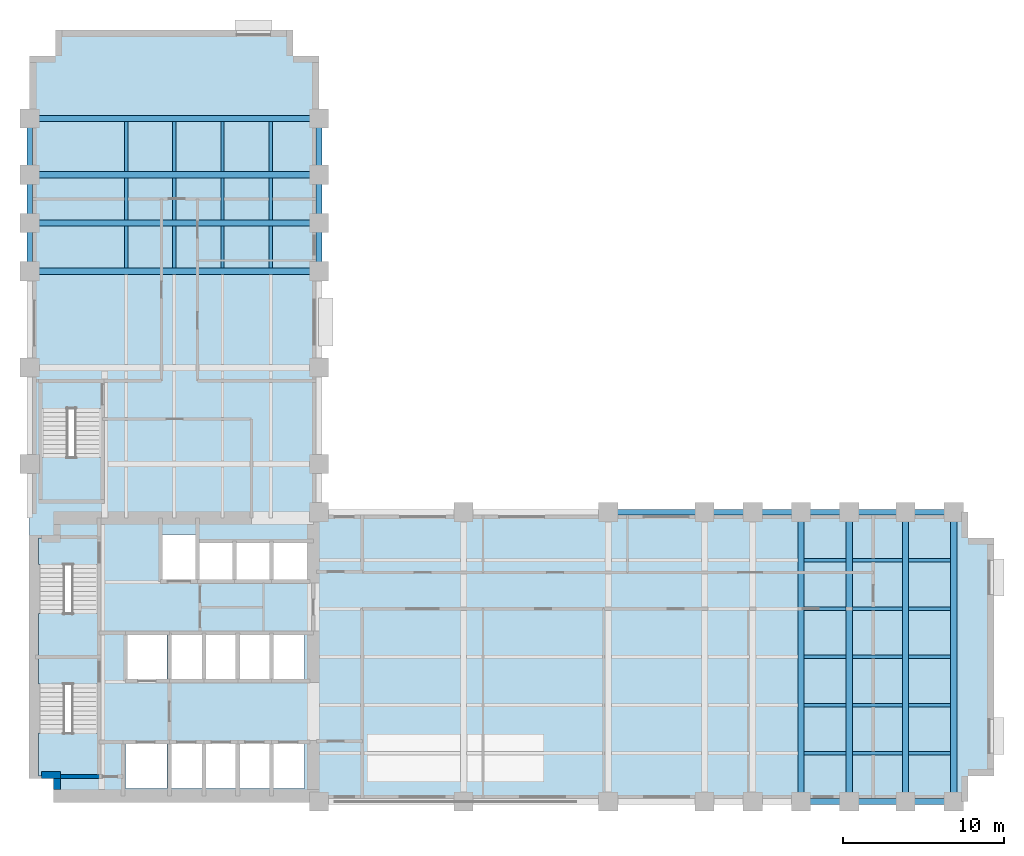
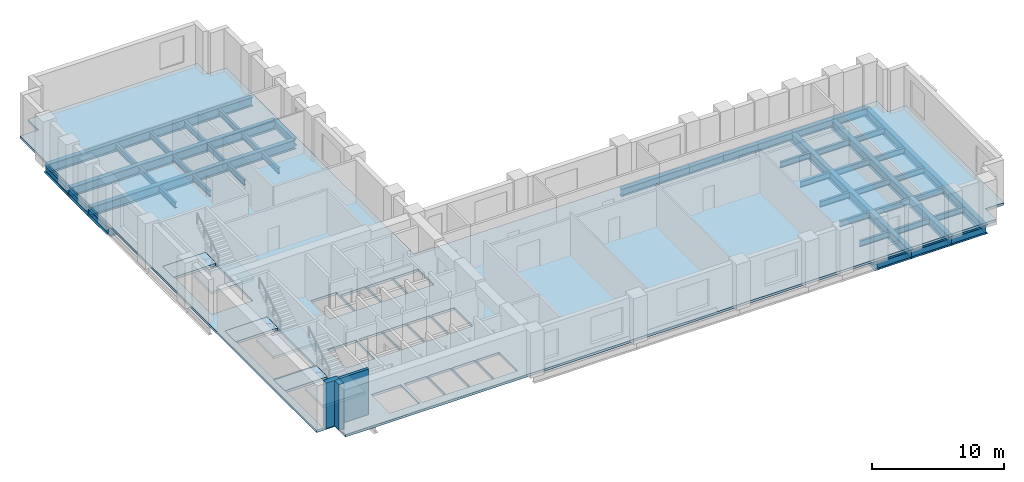
# One storey, part 2 of 8: 50 beams, 7 slabs, 3 walls, 3 elements without a shape of their own.
"""IFC4 building model written with IfcOpenShell, lengths in metres."""

from ifc_helpers import new_model, si_unit, direction, frame, frame_2d, origin, origin_2d, place, context, subcontext, project, spatial, polyline, rectangle, i_section, outline, extrude, material, layer, layer_set, material_profile, profile_set, type_object, element, aggregate, save


model = new_model("IFC4")

# Units and contexts
model_context = context("Model", 3, precision=1e-05, world=origin(), true_north=direction((0.0, 1.0)))
body_context = subcontext(model_context, "Body", "Model", "MODEL_VIEW")
ifc_project = project(units=[si_unit("LENGTHUNIT", "METRE"), si_unit("AREAUNIT", "SQUARE_METRE"), si_unit("VOLUMEUNIT", "CUBIC_METRE"), si_unit("PLANEANGLEUNIT", "RADIAN"), si_unit("MASSUNIT", "GRAM", prefix="KILO")], contexts=[model_context])

# Site, building, storey
site_placement = place(None, origin())
site = spatial("IfcSite", under=ifc_project, at=site_placement, CompositionType="ELEMENT")
building_placement = place(site_placement, origin())
building = spatial("IfcBuilding", under=site, at=building_placement, Name="Mawjdan Bourse Tower", CompositionType="ELEMENT")
storey_placement = place(building_placement, frame((0.0, 0.0, 63.60009765625)))
storey = spatial("IfcBuildingStorey", under=building, at=storey_placement, Name="L14", CompositionType="ELEMENT", Elevation=63.60009765625)

# Beams
ifc_material_1 = material(Name="Structural Steel S355", Category="steel")
ifc_material_profile_1 = material_profile(ifc_material_1, i_section(OverallWidth=0.39892578125, OverallDepth=0.85595703125, WebThickness=0.018310546875, FlangeThickness=0.029296875, FilletRadius=0.0234375, at=origin_2d()), Name="W33X201")
ifc_profile_set_1 = profile_set([ifc_material_profile_1], Name="Structural Steel S355")
beam_type_1 = type_object("IfcBeamType", Name="GRD-W33X201", PredefinedType="BEAM", material=ifc_profile_set_1)
for number, where, z_axis, x_axis, name in (
    (1, (54.0, 3.0, -0.648193359375), (0.0, 1.0, 0.0), (-1.0, 0.0, 0.0), "L14 East Wing Clear-Span Girder 006"),
    (2, (57.0, 3.0, -0.648193359375), (0.0, 1.0, 0.0), (-1.0, 0.0, 0.0), "L14 East Wing Clear-Span Girder 007"),
    (3, (60.5, 3.0, -0.648193359375), (0.0, 1.0, 0.0), (-1.0, 0.0, 0.0), "L14 East Wing Clear-Span Girder 008"),
    (4, (63.5, 3.0, -0.648193359375), (0.0, 1.0, 0.0), (-1.0, 0.0, 0.0), "L14 East Wing Clear-Span Girder 009"),
    (5, (6.0, 36.0, -0.648193359375), (1.0, 0.0, 0.0), (0.0, 1.0, 0.0), "L14 North Wing Clear-Span Girder 073"),
    (6, (6.0, 39.0, -0.648193359375), (1.0, 0.0, 0.0), (0.0, 1.0, 0.0), "L14 North Wing Clear-Span Girder 074"),
    (7, (6.0, 42.0, -0.648193359375), (1.0, 0.0, 0.0), (0.0, 1.0, 0.0), "L14 North Wing Clear-Span Girder 075"),
    (8, (6.0, 45.5, -0.648193359375), (1.0, 0.0, 0.0), (0.0, 1.0, 0.0), "L14 North Wing Clear-Span Girder 076"),
):
    element("IfcBeam", number, at=place(storey_placement, frame(where, z_axis=z_axis, x_axis=x_axis)), inside=storey, type_object=beam_type_1, Name=name, PredefinedType="BEAM", context=body_context, shape_type="SweptSolid", body=[
        extrude(i_section(OverallWidth=0.39892578125, OverallDepth=0.85595703125, WebThickness=0.018310546875, FlangeThickness=0.029296875, FilletRadius=0.0234375, at=origin_2d()), origin(), (0.0, 0.0, 1.0), 18.0),
    ])
ifc_material_profile_2 = material_profile(ifc_material_1, i_section(OverallWidth=0.2119140625, OverallDepth=0.5439453125, WebThickness=0.01318359375, FlangeThickness=0.021240234375, FilletRadius=0.01708984375, at=origin_2d()), Name="W21X83")
ifc_profile_set_2 = profile_set([ifc_material_profile_2], Name="Structural Steel S355")
beam_type_2 = type_object("IfcBeamType", Name="JST-W21X83", PredefinedType="JOIST", material=ifc_profile_set_2)
beam_1_placement = place(storey_placement, frame((54.197509765625, 6.0, -0.4921875), z_axis=(1.0, 0.0, 0.0), x_axis=(0.0, 1.0, 0.0)))
element("IfcBeam", 9, at=beam_1_placement, inside=storey, type_object=beam_type_2, Name="L14 East Wing Composite Joist 031", PredefinedType="JOIST", context=body_context, shape_type="SweptSolid", body=[
    extrude(i_section(OverallWidth=0.2119140625, OverallDepth=0.5439453125, WebThickness=0.01318359375, FlangeThickness=0.021240234375, FilletRadius=0.01708984375, at=origin_2d()), origin(), (0.0, 0.0, 1.0), 2.60498046875),
])
beam_2_placement = place(storey_placement, frame((57.197509765625, 6.0, -0.4921875), z_axis=(1.0, 0.0, 0.0), x_axis=(0.0, 1.0, 0.0)))
element("IfcBeam", 10, at=beam_2_placement, inside=storey, type_object=beam_type_2, Name="L14 East Wing Composite Joist 032", PredefinedType="JOIST", context=body_context, shape_type="SweptSolid", body=[
    extrude(i_section(OverallWidth=0.2119140625, OverallDepth=0.5439453125, WebThickness=0.01318359375, FlangeThickness=0.021240234375, FilletRadius=0.01708984375, at=origin_2d()), origin(), (0.0, 0.0, 1.0), 3.10498046875),
])
for number, where, z_axis, x_axis, name in (
    (11, (60.697509765625, 6.0, -0.4921875), (1.0, 0.0, 0.0), (0.0, 1.0, 0.0), "L14 East Wing Composite Joist 033"),
    (12, (54.197509765625, 9.0, -0.4921875), (1.0, 0.0, 0.0), (0.0, 1.0, 0.0), "L14 East Wing Composite Joist 039"),
):
    element("IfcBeam", number, at=place(storey_placement, frame(where, z_axis=z_axis, x_axis=x_axis)), inside=storey, type_object=beam_type_2, Name=name, PredefinedType="JOIST", context=body_context, shape_type="SweptSolid", body=[
        extrude(i_section(OverallWidth=0.2119140625, OverallDepth=0.5439453125, WebThickness=0.01318359375, FlangeThickness=0.021240234375, FilletRadius=0.01708984375, at=origin_2d()), origin(), (0.0, 0.0, 1.0), 2.60498046875),
    ])
beam_3_placement = place(storey_placement, frame((57.197509765625, 9.0, -0.4921875), z_axis=(1.0, 0.0, 0.0), x_axis=(0.0, 1.0, 0.0)))
element("IfcBeam", 13, at=beam_3_placement, inside=storey, type_object=beam_type_2, Name="L14 East Wing Composite Joist 040", PredefinedType="JOIST", context=body_context, shape_type="SweptSolid", body=[
    extrude(i_section(OverallWidth=0.2119140625, OverallDepth=0.5439453125, WebThickness=0.01318359375, FlangeThickness=0.021240234375, FilletRadius=0.01708984375, at=origin_2d()), origin(), (0.0, 0.0, 1.0), 3.10498046875),
])
for number, where, z_axis, x_axis, name in (
    (14, (60.697509765625, 9.0, -0.4921875), (1.0, 0.0, 0.0), (0.0, 1.0, 0.0), "L14 East Wing Composite Joist 041"),
    (15, (54.197509765625, 12.0, -0.4921875), (1.0, 0.0, 0.0), (0.0, 1.0, 0.0), "L14 East Wing Composite Joist 047"),
):
    element("IfcBeam", number, at=place(storey_placement, frame(where, z_axis=z_axis, x_axis=x_axis)), inside=storey, type_object=beam_type_2, Name=name, PredefinedType="JOIST", context=body_context, shape_type="SweptSolid", body=[
        extrude(i_section(OverallWidth=0.2119140625, OverallDepth=0.5439453125, WebThickness=0.01318359375, FlangeThickness=0.021240234375, FilletRadius=0.01708984375, at=origin_2d()), origin(), (0.0, 0.0, 1.0), 2.60498046875),
    ])
beam_4_placement = place(storey_placement, frame((57.197509765625, 12.0, -0.4921875), z_axis=(1.0, 0.0, 0.0), x_axis=(0.0, 1.0, 0.0)))
element("IfcBeam", 16, at=beam_4_placement, inside=storey, type_object=beam_type_2, Name="L14 East Wing Composite Joist 048", PredefinedType="JOIST", context=body_context, shape_type="SweptSolid", body=[
    extrude(i_section(OverallWidth=0.2119140625, OverallDepth=0.5439453125, WebThickness=0.01318359375, FlangeThickness=0.021240234375, FilletRadius=0.01708984375, at=origin_2d()), origin(), (0.0, 0.0, 1.0), 3.10498046875),
])
for number, where, z_axis, x_axis, name in (
    (17, (60.697509765625, 12.0, -0.4921875), (1.0, 0.0, 0.0), (0.0, 1.0, 0.0), "L14 East Wing Composite Joist 049"),
    (18, (54.197509765625, 15.0, -0.4921875), (1.0, 0.0, 0.0), (0.0, 1.0, 0.0), "L14 East Wing Composite Joist 055"),
):
    element("IfcBeam", number, at=place(storey_placement, frame(where, z_axis=z_axis, x_axis=x_axis)), inside=storey, type_object=beam_type_2, Name=name, PredefinedType="JOIST", context=body_context, shape_type="SweptSolid", body=[
        extrude(i_section(OverallWidth=0.2119140625, OverallDepth=0.5439453125, WebThickness=0.01318359375, FlangeThickness=0.021240234375, FilletRadius=0.01708984375, at=origin_2d()), origin(), (0.0, 0.0, 1.0), 2.60498046875),
    ])
beam_5_placement = place(storey_placement, frame((57.197509765625, 15.0, -0.4921875), z_axis=(1.0, 0.0, 0.0), x_axis=(0.0, 1.0, 0.0)))
element("IfcBeam", 19, at=beam_5_placement, inside=storey, type_object=beam_type_2, Name="L14 East Wing Composite Joist 056", PredefinedType="JOIST", context=body_context, shape_type="SweptSolid", body=[
    extrude(i_section(OverallWidth=0.2119140625, OverallDepth=0.5439453125, WebThickness=0.01318359375, FlangeThickness=0.021240234375, FilletRadius=0.01708984375, at=origin_2d()), origin(), (0.0, 0.0, 1.0), 3.10498046875),
])
for number, where, z_axis, x_axis, name in (
    (20, (60.697509765625, 15.0, -0.4921875), (1.0, 0.0, 0.0), (0.0, 1.0, 0.0), "L14 East Wing Composite Joist 057"),
    (21, (54.197509765625, 18.0, -0.4921875), (1.0, 0.0, 0.0), (0.0, 1.0, 0.0), "L14 East Wing Composite Joist 063"),
):
    element("IfcBeam", number, at=place(storey_placement, frame(where, z_axis=z_axis, x_axis=x_axis)), inside=storey, type_object=beam_type_2, Name=name, PredefinedType="JOIST", context=body_context, shape_type="SweptSolid", body=[
        extrude(i_section(OverallWidth=0.2119140625, OverallDepth=0.5439453125, WebThickness=0.01318359375, FlangeThickness=0.021240234375, FilletRadius=0.01708984375, at=origin_2d()), origin(), (0.0, 0.0, 1.0), 2.60498046875),
    ])
beam_6_placement = place(storey_placement, frame((57.197509765625, 18.0, -0.4921875), z_axis=(1.0, 0.0, 0.0), x_axis=(0.0, 1.0, 0.0)))
element("IfcBeam", 22, at=beam_6_placement, inside=storey, type_object=beam_type_2, Name="L14 East Wing Composite Joist 064", PredefinedType="JOIST", context=body_context, shape_type="SweptSolid", body=[
    extrude(i_section(OverallWidth=0.2119140625, OverallDepth=0.5439453125, WebThickness=0.01318359375, FlangeThickness=0.021240234375, FilletRadius=0.01708984375, at=origin_2d()), origin(), (0.0, 0.0, 1.0), 3.10498046875),
])
for number, where, z_axis, x_axis, name in (
    (23, (60.697509765625, 18.0, -0.4921875), (1.0, 0.0, 0.0), (0.0, 1.0, 0.0), "L14 East Wing Composite Joist 065"),
    (24, (12.0, 36.197509765625, -0.4921875), (0.0, 1.0, 0.0), (-1.0, 0.0, 0.0), "L14 North Wing Composite Joist 092"),
    (25, (12.0, 39.197509765625, -0.4921875), (0.0, 1.0, 0.0), (-1.0, 0.0, 0.0), "L14 North Wing Composite Joist 093"),
):
    element("IfcBeam", number, at=place(storey_placement, frame(where, z_axis=z_axis, x_axis=x_axis)), inside=storey, type_object=beam_type_2, Name=name, PredefinedType="JOIST", context=body_context, shape_type="SweptSolid", body=[
        extrude(i_section(OverallWidth=0.2119140625, OverallDepth=0.5439453125, WebThickness=0.01318359375, FlangeThickness=0.021240234375, FilletRadius=0.01708984375, at=origin_2d()), origin(), (0.0, 0.0, 1.0), 2.60498046875),
    ])
beam_7_placement = place(storey_placement, frame((12.0, 42.197509765625, -0.4921875), z_axis=(0.0, 1.0, 0.0), x_axis=(-1.0, 0.0, 0.0)))
element("IfcBeam", 26, at=beam_7_placement, inside=storey, type_object=beam_type_2, Name="L14 North Wing Composite Joist 094", PredefinedType="JOIST", context=body_context, shape_type="SweptSolid", body=[
    extrude(i_section(OverallWidth=0.2119140625, OverallDepth=0.5439453125, WebThickness=0.01318359375, FlangeThickness=0.021240234375, FilletRadius=0.01708984375, at=origin_2d()), origin(), (0.0, 0.0, 1.0), 3.10498046875),
])
for number, where, z_axis, x_axis, name in (
    (27, (15.0, 36.197509765625, -0.4921875), (0.0, 1.0, 0.0), (-1.0, 0.0, 0.0), "L14 North Wing Composite Joist 098"),
    (28, (15.0, 39.197509765625, -0.4921875), (0.0, 1.0, 0.0), (-1.0, 0.0, 0.0), "L14 North Wing Composite Joist 099"),
):
    element("IfcBeam", number, at=place(storey_placement, frame(where, z_axis=z_axis, x_axis=x_axis)), inside=storey, type_object=beam_type_2, Name=name, PredefinedType="JOIST", context=body_context, shape_type="SweptSolid", body=[
        extrude(i_section(OverallWidth=0.2119140625, OverallDepth=0.5439453125, WebThickness=0.01318359375, FlangeThickness=0.021240234375, FilletRadius=0.01708984375, at=origin_2d()), origin(), (0.0, 0.0, 1.0), 2.60498046875),
    ])
beam_8_placement = place(storey_placement, frame((15.0, 42.197509765625, -0.4921875), z_axis=(0.0, 1.0, 0.0), x_axis=(-1.0, 0.0, 0.0)))
element("IfcBeam", 29, at=beam_8_placement, inside=storey, type_object=beam_type_2, Name="L14 North Wing Composite Joist 100", PredefinedType="JOIST", context=body_context, shape_type="SweptSolid", body=[
    extrude(i_section(OverallWidth=0.2119140625, OverallDepth=0.5439453125, WebThickness=0.01318359375, FlangeThickness=0.021240234375, FilletRadius=0.01708984375, at=origin_2d()), origin(), (0.0, 0.0, 1.0), 3.10498046875),
])
for number, where, z_axis, x_axis, name in (
    (30, (18.0, 36.197509765625, -0.4921875), (0.0, 1.0, 0.0), (-1.0, 0.0, 0.0), "L14 North Wing Composite Joist 104"),
    (31, (18.0, 39.197509765625, -0.4921875), (0.0, 1.0, 0.0), (-1.0, 0.0, 0.0), "L14 North Wing Composite Joist 105"),
):
    element("IfcBeam", number, at=place(storey_placement, frame(where, z_axis=z_axis, x_axis=x_axis)), inside=storey, type_object=beam_type_2, Name=name, PredefinedType="JOIST", context=body_context, shape_type="SweptSolid", body=[
        extrude(i_section(OverallWidth=0.2119140625, OverallDepth=0.5439453125, WebThickness=0.01318359375, FlangeThickness=0.021240234375, FilletRadius=0.01708984375, at=origin_2d()), origin(), (0.0, 0.0, 1.0), 2.60498046875),
    ])
beam_9_placement = place(storey_placement, frame((18.0, 42.197509765625, -0.4921875), z_axis=(0.0, 1.0, 0.0), x_axis=(-1.0, 0.0, 0.0)))
element("IfcBeam", 32, at=beam_9_placement, inside=storey, type_object=beam_type_2, Name="L14 North Wing Composite Joist 106", PredefinedType="JOIST", context=body_context, shape_type="SweptSolid", body=[
    extrude(i_section(OverallWidth=0.2119140625, OverallDepth=0.5439453125, WebThickness=0.01318359375, FlangeThickness=0.021240234375, FilletRadius=0.01708984375, at=origin_2d()), origin(), (0.0, 0.0, 1.0), 3.10498046875),
])
for number, where, z_axis, x_axis, name in (
    (33, (21.0, 36.197509765625, -0.4921875), (0.0, 1.0, 0.0), (-1.0, 0.0, 0.0), "L14 North Wing Composite Joist 110"),
    (34, (21.0, 39.197509765625, -0.4921875), (0.0, 1.0, 0.0), (-1.0, 0.0, 0.0), "L14 North Wing Composite Joist 111"),
):
    element("IfcBeam", number, at=place(storey_placement, frame(where, z_axis=z_axis, x_axis=x_axis)), inside=storey, type_object=beam_type_2, Name=name, PredefinedType="JOIST", context=body_context, shape_type="SweptSolid", body=[
        extrude(i_section(OverallWidth=0.2119140625, OverallDepth=0.5439453125, WebThickness=0.01318359375, FlangeThickness=0.021240234375, FilletRadius=0.01708984375, at=origin_2d()), origin(), (0.0, 0.0, 1.0), 2.60498046875),
    ])
beam_10_placement = place(storey_placement, frame((21.0, 42.197509765625, -0.4921875), z_axis=(0.0, 1.0, 0.0), x_axis=(-1.0, 0.0, 0.0)))
element("IfcBeam", 35, at=beam_10_placement, inside=storey, type_object=beam_type_2, Name="L14 North Wing Composite Joist 112", PredefinedType="JOIST", context=body_context, shape_type="SweptSolid", body=[
    extrude(i_section(OverallWidth=0.2119140625, OverallDepth=0.5439453125, WebThickness=0.01318359375, FlangeThickness=0.021240234375, FilletRadius=0.01708984375, at=origin_2d()), origin(), (0.0, 0.0, 1.0), 3.10498046875),
])
ifc_material_profile_3 = material_profile(ifc_material_1, i_section(OverallWidth=0.35498046875, OverallDepth=0.696044921875, WebThickness=0.015380859375, FlangeThickness=0.02490234375, FilletRadius=0.019775390625, at=origin_2d()), Name="W27X146")
ifc_profile_set_3 = profile_set([ifc_material_profile_3], Name="Structural Steel S355")
beam_type_3 = type_object("IfcBeamType", Name="SPN-W27X146", PredefinedType="SPANDREL", material=ifc_profile_set_3)
beam_11_placement = place(storey_placement, frame((54.0, 3.0, -0.568115234375), z_axis=(1.0, 0.0, 0.0), x_axis=(0.0, 1.0, 0.0)))
element("IfcBeam", 36, at=beam_11_placement, inside=storey, type_object=beam_type_3, Name="L14 Perimeter Masonry-Shelf Spandrel 015", PredefinedType="SPANDREL", context=body_context, shape_type="SweptSolid", body=[
    extrude(i_section(OverallWidth=0.35498046875, OverallDepth=0.696044921875, WebThickness=0.015380859375, FlangeThickness=0.02490234375, FilletRadius=0.019775390625, at=origin_2d()), origin(), (0.0, 0.0, 1.0), 3.0),
])
beam_12_placement = place(storey_placement, frame((57.0, 3.0, -0.568115234375), z_axis=(1.0, 0.0, 0.0), x_axis=(0.0, 1.0, 0.0)))
element("IfcBeam", 37, at=beam_12_placement, inside=storey, type_object=beam_type_3, Name="L14 Perimeter Masonry-Shelf Spandrel 016", PredefinedType="SPANDREL", context=body_context, shape_type="SweptSolid", body=[
    extrude(i_section(OverallWidth=0.35498046875, OverallDepth=0.696044921875, WebThickness=0.015380859375, FlangeThickness=0.02490234375, FilletRadius=0.019775390625, at=origin_2d()), origin(), (0.0, 0.0, 1.0), 3.5),
])
beam_13_placement = place(storey_placement, frame((60.5, 3.0, -0.568115234375), z_axis=(1.0, 0.0, 0.0), x_axis=(0.0, 1.0, 0.0)))
element("IfcBeam", 38, at=beam_13_placement, inside=storey, type_object=beam_type_3, Name="L14 Perimeter Masonry-Shelf Spandrel 017", PredefinedType="SPANDREL", context=body_context, shape_type="SweptSolid", body=[
    extrude(i_section(OverallWidth=0.35498046875, OverallDepth=0.696044921875, WebThickness=0.015380859375, FlangeThickness=0.02490234375, FilletRadius=0.019775390625, at=origin_2d()), origin(), (0.0, 0.0, 1.0), 3.0),
])
beam_14_placement = place(storey_placement, frame((42.0, 21.0, -0.568115234375), z_axis=(1.0, 0.0, 0.0), x_axis=(0.0, 1.0, 0.0)))
element("IfcBeam", 39, at=beam_14_placement, inside=storey, type_object=beam_type_3, Name="L14 Perimeter Masonry-Shelf Spandrel 020", PredefinedType="SPANDREL", context=body_context, shape_type="SweptSolid", body=[
    extrude(i_section(OverallWidth=0.35498046875, OverallDepth=0.696044921875, WebThickness=0.015380859375, FlangeThickness=0.02490234375, FilletRadius=0.019775390625, at=origin_2d()), origin(), (0.0, 0.0, 1.0), 6.0),
])
for number, where, z_axis, x_axis, name in (
    (40, (48.0, 21.0, -0.568115234375), (1.0, 0.0, 0.0), (0.0, 1.0, 0.0), "L14 Perimeter Masonry-Shelf Spandrel 021"),
    (41, (51.0, 21.0, -0.568115234375), (1.0, 0.0, 0.0), (0.0, 1.0, 0.0), "L14 Perimeter Masonry-Shelf Spandrel 022"),
    (42, (54.0, 21.0, -0.568115234375), (1.0, 0.0, 0.0), (0.0, 1.0, 0.0), "L14 Perimeter Masonry-Shelf Spandrel 023"),
):
    element("IfcBeam", number, at=place(storey_placement, frame(where, z_axis=z_axis, x_axis=x_axis)), inside=storey, type_object=beam_type_3, Name=name, PredefinedType="SPANDREL", context=body_context, shape_type="SweptSolid", body=[
        extrude(i_section(OverallWidth=0.35498046875, OverallDepth=0.696044921875, WebThickness=0.015380859375, FlangeThickness=0.02490234375, FilletRadius=0.019775390625, at=origin_2d()), origin(), (0.0, 0.0, 1.0), 3.0),
    ])
beam_15_placement = place(storey_placement, frame((57.0, 21.0, -0.568115234375), z_axis=(1.0, 0.0, 0.0), x_axis=(0.0, 1.0, 0.0)))
element("IfcBeam", 43, at=beam_15_placement, inside=storey, type_object=beam_type_3, Name="L14 Perimeter Masonry-Shelf Spandrel 024", PredefinedType="SPANDREL", context=body_context, shape_type="SweptSolid", body=[
    extrude(i_section(OverallWidth=0.35498046875, OverallDepth=0.696044921875, WebThickness=0.015380859375, FlangeThickness=0.02490234375, FilletRadius=0.019775390625, at=origin_2d()), origin(), (0.0, 0.0, 1.0), 3.5),
])
for number, where, z_axis, x_axis, name in (
    (44, (60.5, 21.0, -0.568115234375), (1.0, 0.0, 0.0), (0.0, 1.0, 0.0), "L14 Perimeter Masonry-Shelf Spandrel 025"),
    (45, (6.0, 36.0, -0.568115234375), (0.0, 1.0, 0.0), (-1.0, 0.0, 0.0), "L14 North Wing Spandrel 080"),
    (46, (6.0, 39.0, -0.568115234375), (0.0, 1.0, 0.0), (-1.0, 0.0, 0.0), "L14 North Wing Spandrel 081"),
):
    element("IfcBeam", number, at=place(storey_placement, frame(where, z_axis=z_axis, x_axis=x_axis)), inside=storey, type_object=beam_type_3, Name=name, PredefinedType="SPANDREL", context=body_context, shape_type="SweptSolid", body=[
        extrude(i_section(OverallWidth=0.35498046875, OverallDepth=0.696044921875, WebThickness=0.015380859375, FlangeThickness=0.02490234375, FilletRadius=0.019775390625, at=origin_2d()), origin(), (0.0, 0.0, 1.0), 3.0),
    ])
beam_16_placement = place(storey_placement, frame((6.0, 42.0, -0.568115234375), z_axis=(0.0, 1.0, 0.0), x_axis=(-1.0, 0.0, 0.0)))
element("IfcBeam", 47, at=beam_16_placement, inside=storey, type_object=beam_type_3, Name="L14 North Wing Spandrel 082", PredefinedType="SPANDREL", context=body_context, shape_type="SweptSolid", body=[
    extrude(i_section(OverallWidth=0.35498046875, OverallDepth=0.696044921875, WebThickness=0.015380859375, FlangeThickness=0.02490234375, FilletRadius=0.019775390625, at=origin_2d()), origin(), (0.0, 0.0, 1.0), 3.5),
])
for number, where, z_axis, x_axis, name in (
    (48, (24.0, 36.0, -0.568115234375), (0.0, 1.0, 0.0), (-1.0, 0.0, 0.0), "L14 North Wing Spandrel 086"),
    (49, (24.0, 39.0, -0.568115234375), (0.0, 1.0, 0.0), (-1.0, 0.0, 0.0), "L14 North Wing Spandrel 087"),
):
    element("IfcBeam", number, at=place(storey_placement, frame(where, z_axis=z_axis, x_axis=x_axis)), inside=storey, type_object=beam_type_3, Name=name, PredefinedType="SPANDREL", context=body_context, shape_type="SweptSolid", body=[
        extrude(i_section(OverallWidth=0.35498046875, OverallDepth=0.696044921875, WebThickness=0.015380859375, FlangeThickness=0.02490234375, FilletRadius=0.019775390625, at=origin_2d()), origin(), (0.0, 0.0, 1.0), 3.0),
    ])
beam_17_placement = place(storey_placement, frame((24.0, 42.0, -0.568115234375), z_axis=(0.0, 1.0, 0.0), x_axis=(-1.0, 0.0, 0.0)))
element("IfcBeam", 50, at=beam_17_placement, inside=storey, type_object=beam_type_3, Name="L14 North Wing Spandrel 088", PredefinedType="SPANDREL", context=body_context, shape_type="SweptSolid", body=[
    extrude(i_section(OverallWidth=0.35498046875, OverallDepth=0.696044921875, WebThickness=0.015380859375, FlangeThickness=0.02490234375, FilletRadius=0.019775390625, at=origin_2d()), origin(), (0.0, 0.0, 1.0), 3.5),
])

# Stair, slabs
ifc_material_2 = material(Name="Concrete C50/60", Category="concrete")
stair_type = type_object("IfcStairType", Name="STR-CORE-1500", PredefinedType="HALF_TURN_STAIR", material=ifc_material_2)
stair_1_placement = place(storey_placement, origin())
stair_1 = element("IfcStair", 51, at=stair_1_placement, inside=storey, type_object=stair_type, Name="L14 Exit Stair 1 (Core South-West)", PredefinedType="HALF_TURN_STAIR")
ifc_layer_1 = layer(ifc_material_2, 0.22998046875)
ifc_layer_set_1 = layer_set([ifc_layer_1], Name="Concrete C50/60")
slab_type_1 = type_object("IfcSlabType", Name="SL-LND-230", PredefinedType="LANDING", material=ifc_layer_set_1)
slab_1_placement = place(storey_placement, frame((0.0, 0.0, -0.22998046875)))
slab_1 = element("IfcSlab", 52, at=slab_1_placement, type_object=slab_type_1, Name="ST1-L14 landing 1", PredefinedType="LANDING", context=body_context, shape_type="SweptSolid", body=[
    extrude(outline(polyline([(6.5400390625, 10.31005859375), (10.260009765625, 10.31005859375), (10.260009765625, 11.969970703125), (6.5400390625, 11.969970703125), (6.5400390625, 10.31005859375)])), origin(), (0.0, 0.0, 1.0), 0.22998046875),
])
slab_2_placement = place(storey_placement, frame((0.0, 0.0, 1.869873046875)))
slab_2 = element("IfcSlab", 53, at=slab_2_placement, type_object=slab_type_1, Name="ST1-L14 landing 2", PredefinedType="LANDING", context=body_context, shape_type="SweptSolid", body=[
    extrude(outline(polyline([(6.5400390625, 4.590087890625), (10.260009765625, 4.590087890625), (10.260009765625, 7.2548828125), (6.5400390625, 7.2548828125), (6.5400390625, 4.590087890625)])), origin(), (0.0, 0.0, 1.0), 0.22998046875),
])
aggregate(stair_1, [slab_1, slab_2])

stair_2_placement = place(storey_placement, origin())
stair_2 = element("IfcStair", 54, at=stair_2_placement, inside=storey, type_object=stair_type, Name="L14 Exit Stair 2 (Core North-West)", PredefinedType="HALF_TURN_STAIR")
slab_3_placement = place(storey_placement, frame((0.0, 0.0, -0.22998046875)))
slab_3 = element("IfcSlab", 55, at=slab_3_placement, type_object=slab_type_1, Name="ST2-L14 landing 1", PredefinedType="LANDING", context=body_context, shape_type="SweptSolid", body=[
    extrude(outline(polyline([(6.5400390625, 17.75), (10.260009765625, 17.75), (10.260009765625, 19.409912109375), (6.5400390625, 19.409912109375), (6.5400390625, 17.75)])), origin(), (0.0, 0.0, 1.0), 0.22998046875),
])
slab_4_placement = place(storey_placement, frame((0.0, 0.0, 1.869873046875)))
slab_4 = element("IfcSlab", 56, at=slab_4_placement, type_object=slab_type_1, Name="ST2-L14 landing 2", PredefinedType="LANDING", context=body_context, shape_type="SweptSolid", body=[
    extrude(outline(polyline([(6.5400390625, 12.030029296875), (10.260009765625, 12.030029296875), (10.260009765625, 14.695068359375), (6.5400390625, 14.695068359375), (6.5400390625, 12.030029296875)])), origin(), (0.0, 0.0, 1.0), 0.22998046875),
])
aggregate(stair_2, [slab_3, slab_4])

stair_3_placement = place(storey_placement, origin())
stair_3 = element("IfcStair", 57, at=stair_3_placement, inside=storey, type_object=stair_type, Name="L14 Exit Stair 3 (North Wing)", PredefinedType="HALF_TURN_STAIR")
slab_5_placement = place(storey_placement, frame((0.0, 0.0, -0.22998046875)))
slab_5 = element("IfcSlab", 58, at=slab_5_placement, type_object=slab_type_1, Name="ST3-L14 landing 1", PredefinedType="LANDING", context=body_context, shape_type="SweptSolid", body=[
    extrude(outline(polyline([(6.739990234375, 27.4599609375), (10.4599609375, 27.4599609375), (10.4599609375, 29.1201171875), (6.739990234375, 29.1201171875), (6.739990234375, 27.4599609375)])), origin(), (0.0, 0.0, 1.0), 0.22998046875),
])
slab_6_placement = place(storey_placement, frame((0.0, 0.0, 1.869873046875)))
slab_6 = element("IfcSlab", 59, at=slab_6_placement, type_object=slab_type_1, Name="ST3-L14 landing 2", PredefinedType="LANDING", context=body_context, shape_type="SweptSolid", body=[
    extrude(outline(polyline([(6.739990234375, 21.739990234375), (10.4599609375, 21.739990234375), (10.4599609375, 24.405029296875), (6.739990234375, 24.405029296875), (6.739990234375, 21.739990234375)])), origin(), (0.0, 0.0, 1.0), 0.22998046875),
])
aggregate(stair_3, [slab_5, slab_6])

# Slab
ifc_layer_2 = layer(ifc_material_2, 0.219970703125)
ifc_layer_set_2 = layer_set([ifc_layer_2], Name="Concrete C50/60")
slab_type_2 = type_object("IfcSlabType", Name="SL-TRD-220", PredefinedType="FLOOR", material=ifc_layer_set_2)
slab_7_placement = place(storey_placement, frame((0.0, 0.0, -0.22021484375)))
element("IfcSlab", 60, at=slab_7_placement, inside=storey, type_object=slab_type_2, Name="L14 Structural Floor Slab 1", PredefinedType="FLOOR", context=body_context, shape_type="SweptSolid", body=[
    extrude(outline(polyline([(7.60009765625, 3.0), (64.39990234375, 3.0), (64.39990234375, 4.60009765625), (66.0, 4.60009765625), (66.0, 19.39990234375), (64.39990234375, 19.39990234375), (64.39990234375, 21.0), (24.0, 21.0), (24.0, 49.39990234375), (22.39990234375, 49.39990234375), (22.39990234375, 51.0), (7.60009765625, 51.0), (7.60009765625, 49.39990234375), (6.0, 49.39990234375), (6.0, 4.60009765625), (7.60009765625, 4.60009765625), (7.60009765625, 3.0)]), holes=[polyline([(11.949951171875, 3.800048828125), (11.949951171875, 6.60009765625), (14.550048828125, 6.60009765625), (14.550048828125, 3.800048828125), (11.949951171875, 3.800048828125)]), polyline([(14.800048828125, 3.800048828125), (14.800048828125, 6.60009765625), (16.800048828125, 6.60009765625), (16.800048828125, 3.800048828125), (14.800048828125, 3.800048828125)]), polyline([(10.260009765625, 11.969970703125), (10.260009765625, 10.31005859375), (10.199951171875, 10.31005859375), (10.199951171875, 4.64990234375), (6.60009765625, 4.64990234375), (6.60009765625, 10.31005859375), (6.5400390625, 10.31005859375), (6.5400390625, 11.969970703125), (10.260009765625, 11.969970703125)]), polyline([(12.050048828125, 13.39990234375), (14.550048828125, 13.39990234375), (14.550048828125, 10.60009765625), (12.050048828125, 10.60009765625), (12.050048828125, 13.39990234375)]), polyline([(6.60009765625, 17.75), (6.5400390625, 17.75), (6.5400390625, 19.409912109375), (10.260009765625, 19.409912109375), (10.260009765625, 17.75), (10.199951171875, 17.75), (10.199951171875, 12.090087890625), (6.60009765625, 12.090087890625), (6.60009765625, 17.75)]), polyline([(14.199951171875, 16.800048828125), (14.199951171875, 19.60009765625), (16.39990234375, 19.60009765625), (16.39990234375, 16.800048828125), (14.199951171875, 16.800048828125)]), polyline([(10.4599609375, 27.4599609375), (10.39990234375, 27.4599609375), (10.39990234375, 21.800048828125), (6.800048828125, 21.800048828125), (6.800048828125, 27.4599609375), (6.739990234375, 27.4599609375), (6.739990234375, 29.1201171875), (10.4599609375, 29.1201171875), (10.4599609375, 27.4599609375)]), polyline([(16.89990234375, 3.800048828125), (16.89990234375, 6.60009765625), (18.89990234375, 6.60009765625), (18.89990234375, 3.800048828125), (16.89990234375, 3.800048828125)]), polyline([(19.0, 3.800048828125), (19.0, 6.60009765625), (21.0, 6.60009765625), (21.0, 3.800048828125), (19.0, 3.800048828125)]), polyline([(21.10009765625, 3.800048828125), (21.10009765625, 6.60009765625), (23.10009765625, 6.60009765625), (23.10009765625, 3.800048828125), (21.10009765625, 3.800048828125)]), polyline([(14.800048828125, 13.39990234375), (16.800048828125, 13.39990234375), (16.800048828125, 10.60009765625), (14.800048828125, 10.60009765625), (14.800048828125, 13.39990234375)]), polyline([(16.89990234375, 13.39990234375), (18.89990234375, 13.39990234375), (18.89990234375, 10.60009765625), (16.89990234375, 10.60009765625), (16.89990234375, 13.39990234375)]), polyline([(19.0, 10.60009765625), (19.0, 13.39990234375), (21.0, 13.39990234375), (21.0, 10.60009765625), (19.0, 10.60009765625)]), polyline([(21.10009765625, 10.60009765625), (21.10009765625, 13.39990234375), (23.10009765625, 13.39990234375), (23.10009765625, 10.60009765625), (21.10009765625, 10.60009765625)]), polyline([(16.5, 16.800048828125), (16.5, 19.14990234375), (18.699951171875, 19.14990234375), (18.699951171875, 16.800048828125), (16.5, 16.800048828125)]), polyline([(18.800048828125, 19.14990234375), (21.0, 19.14990234375), (21.0, 16.800048828125), (18.800048828125, 16.800048828125), (18.800048828125, 19.14990234375)]), polyline([(21.10009765625, 19.14990234375), (23.300048828125, 19.14990234375), (23.300048828125, 16.800048828125), (21.10009765625, 16.800048828125), (21.10009765625, 19.14990234375)])]), origin(), (0.0, 0.0, 1.0), 0.22021484375),
])

# Walls
ifc_material_3 = material(Name="Concrete C60/75", Category="concrete")
ifc_layer_3 = layer(ifc_material_3, 0.449951171875)
ifc_layer_set_3 = layer_set([ifc_layer_3], Name="Concrete C60/75")
wall_type_1 = type_object("IfcWallType", Name="WL-CORE-450", PredefinedType="SHEAR", material=ifc_layer_set_3)
wall_1_placement = place(storey_placement, frame((6.75, 4.64990234375, 0.0), z_axis=(0.0, 0.0, 1.0), x_axis=(1.0, 0.0, 0.0)))
element("IfcWall", 61, at=wall_1_placement, inside=storey, type_object=wall_type_1, Name="L14 Rear Core Shear Wall SW-X", PredefinedType="SHEAR", context=body_context, shape_type="SweptSolid", body=[
    extrude(rectangle(XDim=1.175048828125, YDim=0.449951171875, at=frame_2d((0.58740234375, 0.0))), origin(), (0.0, 0.0, 1.0), 4.199951171875),
])
wall_2_placement = place(storey_placement, frame((7.699951171875, 3.75, 0.0), z_axis=(0.0, 0.0, 1.0), x_axis=(0.0, 1.0, 0.0)))
element("IfcWall", 62, at=wall_2_placement, inside=storey, type_object=wall_type_1, Name="L14 Rear Core Shear Wall SW-Y", PredefinedType="SHEAR", context=body_context, shape_type="SweptSolid", body=[
    extrude(rectangle(XDim=0.675048828125, YDim=0.449951171875, at=frame_2d((0.33740234375, 0.0))), origin(), (0.0, 0.0, 1.0), 4.199951171875),
])
ifc_layer_4 = layer(ifc_material_2, 0.25)
ifc_layer_set_4 = layer_set([ifc_layer_4], Name="Concrete C50/60")
wall_type_2 = type_object("IfcWallType", Name="WL-STRW-250", PredefinedType="SHEAR", material=ifc_layer_set_4)
wall_3_placement = place(storey_placement, frame((7.699951171875, 4.550048828125, 0.0), z_axis=(0.0, 0.0, 1.0), x_axis=(1.0, 0.0, 0.0)))
element("IfcWall", 63, at=wall_3_placement, inside=storey, type_object=wall_type_2, Name="L14 Stairwell ST1 South Shaft Wall", PredefinedType="SHEAR", context=body_context, shape_type="SweptSolid", body=[
    extrude(rectangle(XDim=2.755126953125, YDim=0.25, at=frame_2d((1.37744140625, 0.0))), origin(), (0.0, 0.0, 1.0), 4.199951171875),
])

save(model, "model.ifc")
